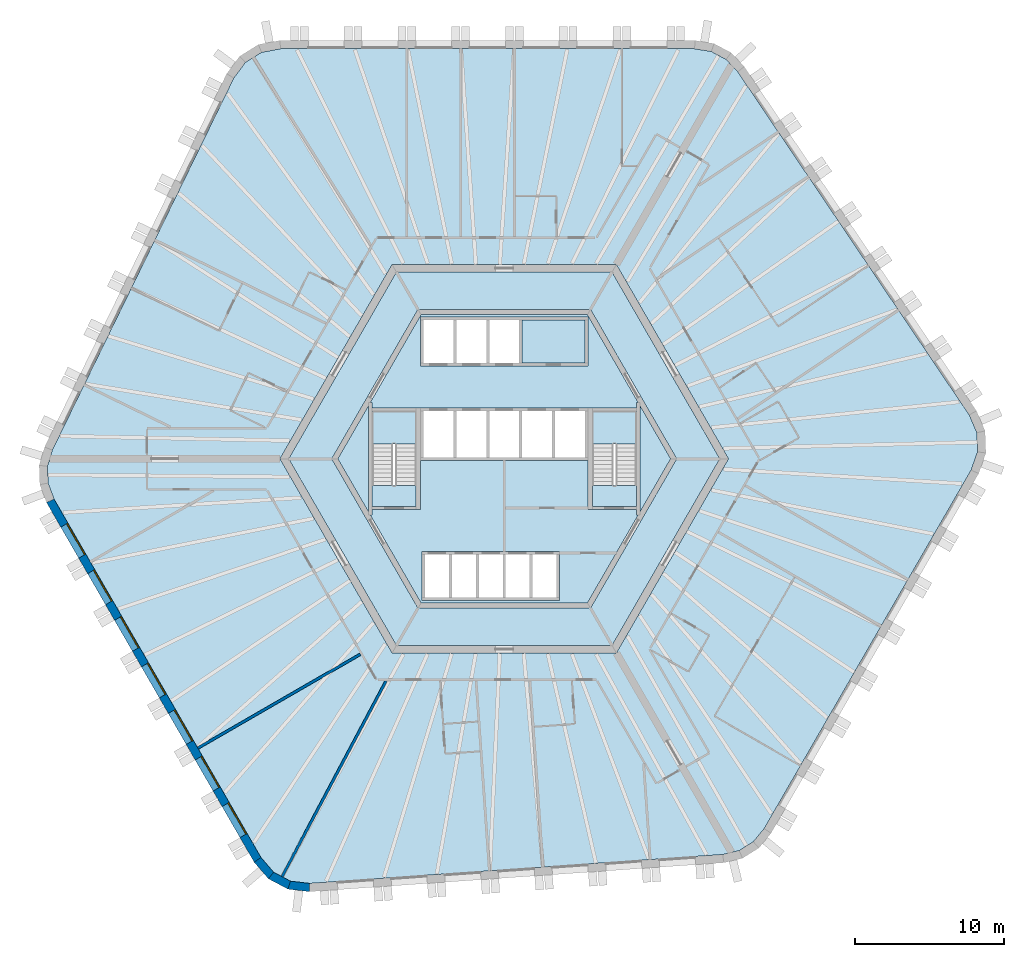
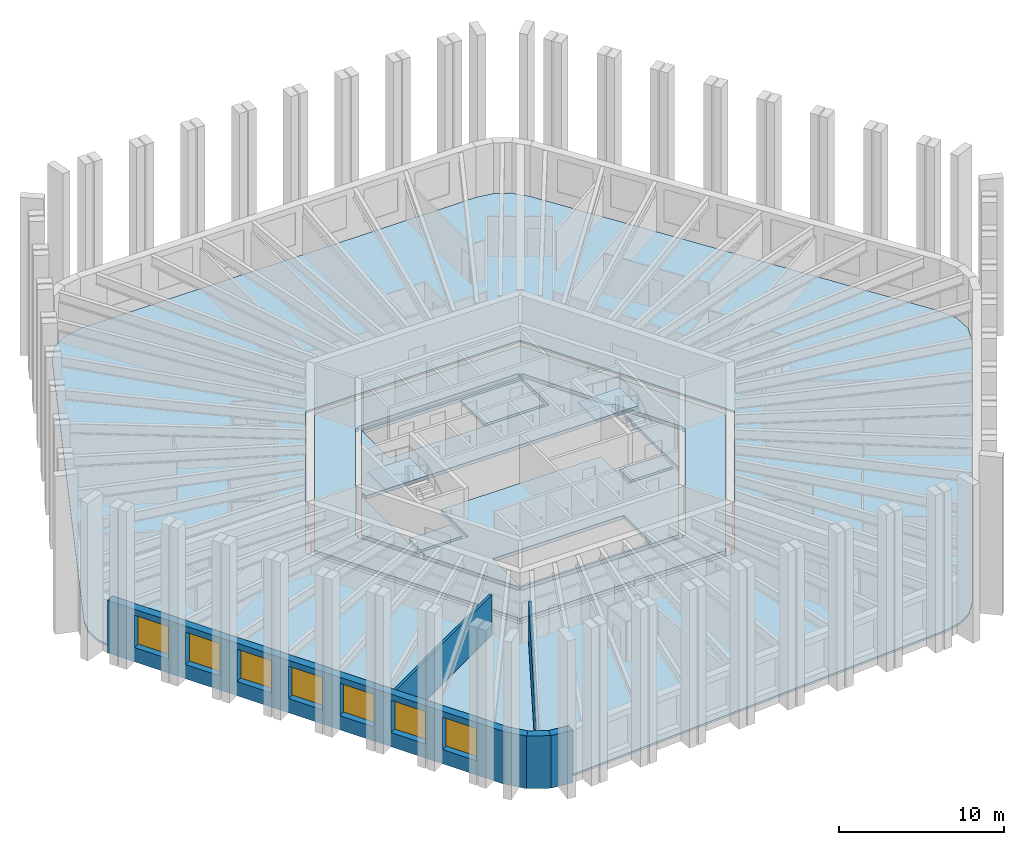
# One storey, part 2 of 9: 11 slabs, 7 windows, 6 walls, 7 openings, 2 elements without a shape of their own.
"""IFC4 building model written with IfcOpenShell, lengths in metres."""

from ifc_helpers import new_model, si_unit, direction, frame, frame_2d, origin, place, context, subcontext, project, spatial, polyline, rectangle, outline, extrude, material, layer, layer_set, type_object, element, fill, aggregate, save


model = new_model("IFC4")

# Units and contexts
model_context = context("Model", 3, precision=1e-05, world=origin(), true_north=direction((0.0, 1.0)))
body_context = subcontext(model_context, "Body", "Model", "MODEL_VIEW")
ifc_project = project(units=[si_unit("LENGTHUNIT", "METRE"), si_unit("AREAUNIT", "SQUARE_METRE"), si_unit("VOLUMEUNIT", "CUBIC_METRE"), si_unit("PLANEANGLEUNIT", "RADIAN"), si_unit("MASSUNIT", "GRAM", prefix="KILO")], contexts=[model_context])

# Site, building, storey
site_placement = place(None, origin())
site = spatial("IfcSite", under=ifc_project, at=site_placement, CompositionType="ELEMENT")
building_placement = place(site_placement, origin())
building = spatial("IfcBuilding", under=site, at=building_placement, Name="Tarnside Tower", CompositionType="ELEMENT")
storey_placement = place(building_placement, frame((0.0, 0.0, 215.10009765625)))
storey = spatial("IfcBuildingStorey", under=building, at=storey_placement, Name="L51", CompositionType="ELEMENT", Elevation=215.10009765625)

# Slabs
ifc_material_1 = material(Name="Concrete C35/45", Category="concrete")
ifc_layer_1 = layer(ifc_material_1, 0.14990234375)
ifc_layer_set_1 = layer_set([ifc_layer_1], Name="Composite floor slab 150")
slab_type_1 = type_object("IfcSlabType", Name="Composite floor slab 150", PredefinedType="FLOOR", material=ifc_layer_set_1)
slab_1_placement = place(storey_placement, frame((0.0, 0.0, -0.150146484375)))
element("IfcSlab", 1, at=slab_1_placement, inside=storey, type_object=slab_type_1, Name="Floor slab L51", PredefinedType="FLOOR", context=body_context, shape_type="SweptSolid", body=[
    extrude(outline(polyline([(13.864013671875, 27.264892578125), (14.85107421875, 26.740234375), (15.6337890625, 25.91064453125), (31.12890625, 2.938232421875), (31.644287109375, 1.7431640625), (31.68896484375, 0.468505859375), (31.258056640625, -0.759521484375), (17.403076171875, -24.7568359375), (16.68017578125, -25.63916015625), (15.732177734375, -26.2314453125), (14.622314453125, -26.494384765625), (-13.02001953125, -28.427490234375), (-14.3125, -28.2763671875), (-15.438720703125, -27.677490234375), (-16.286865234375, -26.6904296875), (-30.1416015625, -2.693115234375), (-30.544189453125, -1.6259765625), (-30.583251953125, -0.5087890625), (-30.256103515625, 0.583984375), (-18.10888671875, 25.4892578125), (-17.331787109375, 26.533203125), (-16.250244140625, 27.208984375), (-14.97119140625, 27.449951171875), (12.738525390625, 27.449951171875), (13.864013671875, 27.264892578125)]), holes=[polyline([(-15.010986328125, 0.0), (-7.505615234375, -13.0), (7.505615234375, -13.0), (15.010986328125, 0.0), (7.505615234375, 13.0), (-7.505615234375, 13.0), (-15.010986328125, 0.0)])]), origin(), (0.0, 0.0, 1.0), 0.150146484375),
])
ifc_material_2 = material(Name="Concrete C40/50", Category="concrete")
ifc_layer_2 = layer(ifc_material_2, 0.25)
ifc_layer_set_2 = layer_set([ifc_layer_2], Name="Core slab C40/50")
slab_type_2 = type_object("IfcSlabType", Name="Core slab C40/50", PredefinedType="FLOOR", material=ifc_layer_set_2)
slab_2_placement = place(storey_placement, frame((0.0, 0.0, -0.25)))
element("IfcSlab", 2, at=slab_2_placement, inside=storey, type_object=slab_type_2, Name="L51 core floor slab 1", PredefinedType="FLOOR", context=body_context, shape_type="SweptSolid", body=[
    extrude(outline(polyline([(-7.216796875, 12.5), (7.216796875, 12.5), (14.433837890625, 0.0), (7.216796875, -12.5), (-7.216796875, -12.5), (-14.433837890625, 0.0), (-7.216796875, 12.5)]), holes=[polyline([(5.823974609375, -9.91259765625), (11.49658203125, -0.08740234375), (11.344970703125, 0.0), (11.49658203125, 0.08740234375), (5.823974609375, 9.91259765625), (5.672607421875, 9.824951171875), (5.672607421875, 10.0), (-5.672607421875, 10.0), (-5.672607421875, 9.824951171875), (-5.823974609375, 9.91259765625), (-11.49658203125, 0.08740234375), (-11.344970703125, 0.0), (-11.49658203125, -0.08740234375), (-5.823974609375, -9.91259765625), (-5.672607421875, -9.824951171875), (-5.672607421875, -10.0), (5.672607421875, -10.0), (5.672607421875, -9.824951171875), (5.823974609375, -9.91259765625)])]), origin(), (0.0, 0.0, 1.0), 0.25),
])
slab_3_placement = place(storey_placement, frame((0.0, 0.0, -0.25)))
element("IfcSlab", 3, at=slab_3_placement, inside=storey, type_object=slab_type_2, Name="L51 core floor slab 2", PredefinedType="FLOOR", context=body_context, shape_type="SweptSolid", body=[
    extrude(outline(polyline([(-8.97509765625, 3.7548828125), (-5.5712890625, 9.64990234375), (5.5712890625, 9.64990234375), (8.97509765625, 3.7548828125), (8.85009765625, 3.7548828125), (8.85009765625, 3.39990234375), (5.89990234375, 3.39990234375), (5.60009765625, 3.39990234375), (5.60009765625, 3.39990234375), (-5.60009765625, 3.39990234375), (-5.89990234375, 3.39990234375), (-8.85009765625, 3.39990234375), (-8.85009765625, 3.7548828125), (-8.97509765625, 3.7548828125)]), holes=[polyline([(-5.60009765625, 6.199951171875), (5.60009765625, 6.199951171875), (5.60009765625, 6.39990234375), (5.60009765625, 9.300048828125), (5.60009765625, 9.5), (-5.60009765625, 9.5), (-5.60009765625, 9.300048828125), (-5.60009765625, 6.39990234375), (-5.60009765625, 6.199951171875)])]), origin(), (0.0, 0.0, 1.0), 0.25),
])
slab_4_placement = place(storey_placement, frame((0.0, 0.0, -0.25)))
element("IfcSlab", 4, at=slab_4_placement, inside=storey, type_object=slab_type_2, Name="L51 core floor slab 3", PredefinedType="FLOOR", context=body_context, shape_type="SweptSolid", body=[
    extrude(outline(polyline([(5.60009765625, -3.39990234375), (5.89990234375, -3.39990234375), (8.85009765625, -3.39990234375), (8.85009765625, -3.7548828125), (8.97509765625, -3.7548828125), (5.5712890625, -9.64990234375), (-5.5712890625, -9.64990234375), (-8.97509765625, -3.7548828125), (-8.85009765625, -3.7548828125), (-8.85009765625, -3.39990234375), (-5.89990234375, -3.39990234375), (-5.60009765625, -3.39990234375), (-5.60009765625, -0.10009765625), (5.60009765625, -0.10009765625), (5.60009765625, -3.39990234375)]), holes=[polyline([(-5.5, -9.300048828125), (-5.5, -9.5), (3.699951171875, -9.5), (3.699951171875, -9.300048828125), (3.699951171875, -6.39990234375), (3.699951171875, -6.199951171875), (-5.5, -6.199951171875), (-5.5, -6.39990234375), (-5.5, -9.300048828125)])]), origin(), (0.0, 0.0, 1.0), 0.25),
])
slab_5_placement = place(storey_placement, frame((0.0, 0.0, -0.25)))
element("IfcSlab", 5, at=slab_5_placement, inside=storey, type_object=slab_type_2, Name="L51 core floor slab 4", PredefinedType="FLOOR", context=body_context, shape_type="SweptSolid", body=[
    extrude(outline(polyline([(-11.142822265625, 0.0), (-9.10009765625, 3.538330078125), (-9.10009765625, -3.538330078125), (-11.142822265625, 0.0)])), origin(), (0.0, 0.0, 1.0), 0.25),
])
slab_6_placement = place(storey_placement, frame((0.0, 0.0, -0.25)))
element("IfcSlab", 6, at=slab_6_placement, inside=storey, type_object=slab_type_2, Name="L51 core floor slab 5", PredefinedType="FLOOR", context=body_context, shape_type="SweptSolid", body=[
    extrude(outline(polyline([(-8.85009765625, -1.800048828125), (-5.89990234375, -1.800048828125), (-5.89990234375, -3.199951171875), (-8.85009765625, -3.199951171875), (-8.85009765625, -1.800048828125)])), origin(), (0.0, 0.0, 1.0), 0.25),
])
slab_7_placement = place(storey_placement, frame((0.0, 0.0, -0.25)))
element("IfcSlab", 7, at=slab_7_placement, inside=storey, type_object=slab_type_2, Name="L51 core floor slab 6", PredefinedType="FLOOR", context=body_context, shape_type="SweptSolid", body=[
    extrude(outline(polyline([(5.89990234375, -3.199951171875), (5.89990234375, -1.800048828125), (8.85009765625, -1.800048828125), (8.85009765625, -3.199951171875), (5.89990234375, -3.199951171875)])), origin(), (0.0, 0.0, 1.0), 0.25),
])
slab_8_placement = place(storey_placement, frame((0.0, 0.0, -0.25)))
element("IfcSlab", 8, at=slab_8_placement, inside=storey, type_object=slab_type_2, Name="L51 core floor slab 7", PredefinedType="FLOOR", context=body_context, shape_type="SweptSolid", body=[
    extrude(outline(polyline([(9.10009765625, -3.538330078125), (9.10009765625, 3.538330078125), (11.142822265625, 0.0), (9.10009765625, -3.538330078125)])), origin(), (0.0, 0.0, 1.0), 0.25),
])
slab_9_placement = place(storey_placement, frame((0.0, 0.0, -0.25)))
element("IfcSlab", 9, at=slab_9_placement, inside=storey, type_object=slab_type_2, Name="L51 core floor slab 8", PredefinedType="FLOOR", context=body_context, shape_type="SweptSolid", body=[
    extrude(outline(polyline([(5.39990234375, 9.300048828125), (5.39990234375, 6.39990234375), (1.199951171875, 6.39990234375), (1.199951171875, 9.300048828125), (5.39990234375, 9.300048828125)])), origin(), (0.0, 0.0, 1.0), 0.25),
])

# Stair, slab
stair_type = type_object("IfcStairType", Name="Exit stair 1400 clear", PredefinedType="HALF_TURN_STAIR", material=ifc_material_2)
stair_1_placement = place(storey_placement, origin())
stair_1 = element("IfcStair", 10, at=stair_1_placement, inside=storey, type_object=stair_type, Name="L51 Exit stair 1", PredefinedType="HALF_TURN_STAIR")
ifc_layer_3 = layer(ifc_material_2, 0.199951171875)
ifc_layer_set_3 = layer_set([ifc_layer_3], Name="Stair landing 200 C40/50")
slab_type_3 = type_object("IfcSlabType", Name="Stair landing 200 C40/50", PredefinedType="LANDING", material=ifc_layer_set_3)
slab_10_placement = place(storey_placement, frame((0.0, 0.0, 1.75)))
slab_10 = element("IfcSlab", 11, at=slab_10_placement, type_object=slab_type_3, Name="ST1 landing 1", PredefinedType="LANDING", context=body_context, shape_type="SweptSolid", body=[
    extrude(outline(polyline([(8.85009765625, 1.0), (8.85009765625, 3.199951171875), (5.89990234375, 3.199951171875), (5.89990234375, 1.0), (8.85009765625, 1.0)])), origin(), (0.0, 0.0, 1.0), 0.199951171875),
])
aggregate(stair_1, [slab_10])

stair_2_placement = place(storey_placement, origin())
stair_2 = element("IfcStair", 12, at=stair_2_placement, inside=storey, type_object=stair_type, Name="L51 Exit stair 2", PredefinedType="HALF_TURN_STAIR")
slab_11_placement = place(storey_placement, frame((0.0, 0.0, 1.75)))
slab_11 = element("IfcSlab", 13, at=slab_11_placement, type_object=slab_type_3, Name="ST2 landing 1", PredefinedType="LANDING", context=body_context, shape_type="SweptSolid", body=[
    extrude(outline(polyline([(-5.89990234375, 1.0), (-5.89990234375, 3.199951171875), (-8.85009765625, 3.199951171875), (-8.85009765625, 1.0), (-5.89990234375, 1.0)])), origin(), (0.0, 0.0, 1.0), 0.199951171875),
])
aggregate(stair_2, [slab_11])

# Walls
ifc_material_3 = material(Name="Gypsum board partition on steel studs", Category="steel")
ifc_layer_4 = layer(ifc_material_3, 0.179931640625)
ifc_layer_set_4 = layer_set([ifc_layer_4], Name="Demising wall 180 EI 60")
wall_type_1 = type_object("IfcWallType", Name="Demising wall 180 EI 60", PredefinedType="PARTITIONING", material=ifc_layer_set_4)
wall_1_placement = place(storey_placement, frame((-20.513427734375, -19.36962890625, 0.0), z_axis=(0.0, 0.0, 1.0), x_axis=(0.866019402111, 0.500010395058, 0.0)))
element("IfcWall", 14, at=wall_1_placement, inside=storey, type_object=wall_type_1, Name="Demising wall 17067", PredefinedType="PARTITIONING", context=body_context, shape_type="SweptSolid", body=[
    extrude(rectangle(XDim=12.574951171875, YDim=0.179931640625, at=frame_2d((6.28759765625, 0.0))), origin(), (0.0, 0.0, 1.0), 2.98779296875),
])
wall_2_placement = place(storey_placement, frame((-14.875732421875, -27.97705078125, 0.0), z_axis=(0.0, 0.0, 1.0), x_axis=(0.469475175214, 0.882945672088, 0.0)))
element("IfcWall", 15, at=wall_2_placement, inside=storey, type_object=wall_type_1, Name="Demising wall 17068", PredefinedType="PARTITIONING", context=body_context, shape_type="SweptSolid", body=[
    extrude(rectangle(XDim=14.839111328125, YDim=0.179931640625, at=frame_2d((7.41943359375, 0.0))), origin(), (0.0, 0.0, 1.0), 2.98779296875),
])

# Wall, openings, windows
ifc_material_4 = material(Name="Facing brick", Category="masonry")
ifc_layer_5 = layer(ifc_material_4, 0.10205078125)
ifc_material_5 = material(Name="Concrete C60/75 precast", Category="concrete")
ifc_layer_6 = layer(ifc_material_5, 0.347900390625)
ifc_material_6 = material(Name="Mineral wool insulation")
ifc_layer_7 = layer(ifc_material_6, 0.10009765625)
ifc_layer_set_5 = layer_set([ifc_layer_5, ifc_layer_6, ifc_layer_7], Name="Tube wall 550 brick faced")
wall_type_2 = type_object("IfcWallType", Name="Tube wall 550 brick faced", PredefinedType="SOLIDWALL", material=ifc_layer_set_5)
wall_3_placement = place(storey_placement, frame((-30.39111328125, -2.81103515625, -0.150146484375), z_axis=(0.0, 0.0, 1.0), x_axis=(0.499998569178, -0.866026229868, 0.0)))
wall_3 = element("IfcWall", 16, at=wall_3_placement, inside=storey, type_object=wall_type_2, Name="Tube wall L51 F3 flush 08", PredefinedType="SOLIDWALL", context=body_context, shape_type="SweptSolid", body=[
    extrude(outline(polyline([(-0.0224609375, -0.27490234375), (27.783447265625, -0.27490234375), (27.732177734375, 0.27490234375), (0.0224609375, 0.27490234375), (-0.0224609375, -0.27490234375)])), origin(), (0.0, 0.0, 1.0), 3.900146484375),
])
opening_1_placement = place(wall_3_placement, frame((1.87890625, 0.0, 1.050048828125)))
opening_1 = element("IfcOpeningElement", 17, at=opening_1_placement, cuts=wall_3, Name="Opening WH", PredefinedType="OPENING", context=body_context, shape_type="SweptSolid", body=[
    extrude(rectangle(XDim=2.39990234375, YDim=2.39990234375, at=frame_2d((1.199951171875, 1.199951171875))), frame((0.0, 0.28515625, 0.0), z_axis=(0.0, -1.0, 0.0), x_axis=(1.0, 0.0, 0.0)), (0.0, 0.0, 1.0), 0.570068359375),
])
opening_2_placement = place(wall_3_placement, frame((5.47900390625, 0.0, 1.050048828125)))
opening_2 = element("IfcOpeningElement", 18, at=opening_2_placement, cuts=wall_3, Name="Opening WH", PredefinedType="OPENING", context=body_context, shape_type="SweptSolid", body=[
    extrude(rectangle(XDim=2.39990234375, YDim=2.39990234375, at=frame_2d((1.199951171875, 1.199951171875))), frame((0.0, 0.28515625, 0.0), z_axis=(0.0, -1.0, 0.0), x_axis=(1.0, 0.0, 0.0)), (0.0, 0.0, 1.0), 0.570068359375),
])
opening_3_placement = place(wall_3_placement, frame((9.078857421875, 0.0, 1.050048828125)))
opening_3 = element("IfcOpeningElement", 19, at=opening_3_placement, cuts=wall_3, Name="Opening WH", PredefinedType="OPENING", context=body_context, shape_type="SweptSolid", body=[
    extrude(rectangle(XDim=2.39990234375, YDim=2.39990234375, at=frame_2d((1.199951171875, 1.199951171875))), frame((0.0, 0.28515625, 0.0), z_axis=(0.0, -1.0, 0.0), x_axis=(1.0, 0.0, 0.0)), (0.0, 0.0, 1.0), 0.570068359375),
])
opening_4_placement = place(wall_3_placement, frame((12.678955078125, 0.0, 1.050048828125)))
opening_4 = element("IfcOpeningElement", 20, at=opening_4_placement, cuts=wall_3, Name="Opening WH", PredefinedType="OPENING", context=body_context, shape_type="SweptSolid", body=[
    extrude(rectangle(XDim=2.39990234375, YDim=2.39990234375, at=frame_2d((1.199951171875, 1.199951171875))), frame((0.0, 0.28515625, 0.0), z_axis=(0.0, -1.0, 0.0), x_axis=(1.0, 0.0, 0.0)), (0.0, 0.0, 1.0), 0.570068359375),
])
opening_5_placement = place(wall_3_placement, frame((16.27880859375, 0.0, 1.050048828125)))
opening_5 = element("IfcOpeningElement", 21, at=opening_5_placement, cuts=wall_3, Name="Opening WH", PredefinedType="OPENING", context=body_context, shape_type="SweptSolid", body=[
    extrude(rectangle(XDim=2.39990234375, YDim=2.39990234375, at=frame_2d((1.199951171875, 1.199951171875))), frame((0.0, 0.28515625, 0.0), z_axis=(0.0, -1.0, 0.0), x_axis=(1.0, 0.0, 0.0)), (0.0, 0.0, 1.0), 0.570068359375),
])
opening_6_placement = place(wall_3_placement, frame((19.87890625, 0.0, 1.050048828125)))
opening_6 = element("IfcOpeningElement", 22, at=opening_6_placement, cuts=wall_3, Name="Opening WH", PredefinedType="OPENING", context=body_context, shape_type="SweptSolid", body=[
    extrude(rectangle(XDim=2.39990234375, YDim=2.39990234375, at=frame_2d((1.199951171875, 1.199951171875))), frame((0.0, 0.28515625, 0.0), z_axis=(0.0, -1.0, 0.0), x_axis=(1.0, 0.0, 0.0)), (0.0, 0.0, 1.0), 0.570068359375),
])
opening_7_placement = place(wall_3_placement, frame((23.47900390625, 0.0, 1.050048828125)))
opening_7 = element("IfcOpeningElement", 23, at=opening_7_placement, cuts=wall_3, Name="Opening WH", PredefinedType="OPENING", context=body_context, shape_type="SweptSolid", body=[
    extrude(rectangle(XDim=2.39990234375, YDim=2.39990234375, at=frame_2d((1.199951171875, 1.199951171875))), frame((0.0, 0.28515625, 0.0), z_axis=(0.0, -1.0, 0.0), x_axis=(1.0, 0.0, 0.0)), (0.0, 0.0, 1.0), 0.570068359375),
])
ifc_material_7 = material(Name="Aluminium-framed double glazing", Category="aluminium")
window_type = type_object("IfcWindowType", Name="Hotel window 2400 x 2400", PartitioningType="DOUBLE_PANEL_VERTICAL", PredefinedType="WINDOW", material=ifc_material_7)
window_1_placement = place(opening_1_placement, frame((0.0, 0.205078125, 0.0)))
window_1 = element("IfcWindow", 24, at=window_1_placement, inside=storey, type_object=window_type, Name="E.WN.L51.F3.00", OverallHeight=2.39990234375, OverallWidth=2.39990234375, PartitioningType="DOUBLE_PANEL_VERTICAL", PredefinedType="WINDOW", context=body_context, shape_type="SweptSolid", body=[
    extrude(rectangle(XDim=2.39990234375, YDim=2.39990234375, at=frame_2d((1.199951171875, 1.199951171875))), frame((0.0, 0.030029296875, 0.0), z_axis=(0.0, -1.0, 0.0), x_axis=(1.0, 0.0, 0.0)), (0.0, 0.0, 1.0), 0.06005859375),
])
fill(opening_1, window_1)
window_2_placement = place(opening_2_placement, frame((0.0, 0.205078125, 0.0)))
window_2 = element("IfcWindow", 25, at=window_2_placement, inside=storey, type_object=window_type, Name="E.WN.L51.F3.01", OverallHeight=2.39990234375, OverallWidth=2.39990234375, PartitioningType="DOUBLE_PANEL_VERTICAL", PredefinedType="WINDOW", context=body_context, shape_type="SweptSolid", body=[
    extrude(rectangle(XDim=2.39990234375, YDim=2.39990234375, at=frame_2d((1.199951171875, 1.199951171875))), frame((0.0, 0.030029296875, 0.0), z_axis=(0.0, -1.0, 0.0), x_axis=(1.0, 0.0, 0.0)), (0.0, 0.0, 1.0), 0.06005859375),
])
fill(opening_2, window_2)
window_3_placement = place(opening_3_placement, frame((0.0, 0.205078125, 0.0)))
window_3 = element("IfcWindow", 26, at=window_3_placement, inside=storey, type_object=window_type, Name="E.WN.L51.F3.02", OverallHeight=2.39990234375, OverallWidth=2.39990234375, PartitioningType="DOUBLE_PANEL_VERTICAL", PredefinedType="WINDOW", context=body_context, shape_type="SweptSolid", body=[
    extrude(rectangle(XDim=2.39990234375, YDim=2.39990234375, at=frame_2d((1.199951171875, 1.199951171875))), frame((0.0, 0.030029296875, 0.0), z_axis=(0.0, -1.0, 0.0), x_axis=(1.0, 0.0, 0.0)), (0.0, 0.0, 1.0), 0.06005859375),
])
fill(opening_3, window_3)
window_4_placement = place(opening_4_placement, frame((0.0, 0.205078125, 0.0)))
window_4 = element("IfcWindow", 27, at=window_4_placement, inside=storey, type_object=window_type, Name="E.WN.L51.F3.03", OverallHeight=2.39990234375, OverallWidth=2.39990234375, PartitioningType="DOUBLE_PANEL_VERTICAL", PredefinedType="WINDOW", context=body_context, shape_type="SweptSolid", body=[
    extrude(rectangle(XDim=2.39990234375, YDim=2.39990234375, at=frame_2d((1.199951171875, 1.199951171875))), frame((0.0, 0.030029296875, 0.0), z_axis=(0.0, -1.0, 0.0), x_axis=(1.0, 0.0, 0.0)), (0.0, 0.0, 1.0), 0.06005859375),
])
fill(opening_4, window_4)
window_5_placement = place(opening_5_placement, frame((0.0, 0.205078125, 0.0)))
window_5 = element("IfcWindow", 28, at=window_5_placement, inside=storey, type_object=window_type, Name="E.WN.L51.F3.04", OverallHeight=2.39990234375, OverallWidth=2.39990234375, PartitioningType="DOUBLE_PANEL_VERTICAL", PredefinedType="WINDOW", context=body_context, shape_type="SweptSolid", body=[
    extrude(rectangle(XDim=2.39990234375, YDim=2.39990234375, at=frame_2d((1.199951171875, 1.199951171875))), frame((0.0, 0.030029296875, 0.0), z_axis=(0.0, -1.0, 0.0), x_axis=(1.0, 0.0, 0.0)), (0.0, 0.0, 1.0), 0.06005859375),
])
fill(opening_5, window_5)
window_6_placement = place(opening_6_placement, frame((0.0, 0.205078125, 0.0)))
window_6 = element("IfcWindow", 29, at=window_6_placement, inside=storey, type_object=window_type, Name="E.WN.L51.F3.05", OverallHeight=2.39990234375, OverallWidth=2.39990234375, PartitioningType="DOUBLE_PANEL_VERTICAL", PredefinedType="WINDOW", context=body_context, shape_type="SweptSolid", body=[
    extrude(rectangle(XDim=2.39990234375, YDim=2.39990234375, at=frame_2d((1.199951171875, 1.199951171875))), frame((0.0, 0.030029296875, 0.0), z_axis=(0.0, -1.0, 0.0), x_axis=(1.0, 0.0, 0.0)), (0.0, 0.0, 1.0), 0.06005859375),
])
fill(opening_6, window_6)
window_7_placement = place(opening_7_placement, frame((0.0, 0.205078125, 0.0)))
window_7 = element("IfcWindow", 30, at=window_7_placement, inside=storey, type_object=window_type, Name="E.WN.L51.F3.06", OverallHeight=2.39990234375, OverallWidth=2.39990234375, PartitioningType="DOUBLE_PANEL_VERTICAL", PredefinedType="WINDOW", context=body_context, shape_type="SweptSolid", body=[
    extrude(rectangle(XDim=2.39990234375, YDim=2.39990234375, at=frame_2d((1.199951171875, 1.199951171875))), frame((0.0, 0.030029296875, 0.0), z_axis=(0.0, -1.0, 0.0), x_axis=(1.0, 0.0, 0.0)), (0.0, 0.0, 1.0), 0.06005859375),
])
fill(opening_7, window_7)

# Walls
wall_4_placement = place(storey_placement, frame((-16.51220703125, -26.85009765625, -0.150146484375), z_axis=(0.0, 0.0, 1.0), x_axis=(0.651621950847, -0.758543890078, 0.0)))
element("IfcWall", 31, at=wall_4_placement, inside=storey, type_object=wall_type_2, Name="Tube wall L51 F3 chord 09", PredefinedType="SOLIDWALL", context=body_context, shape_type="SweptSolid", body=[
    extrude(outline(polyline([(-0.025634765625, -0.27490234375), (1.430908203125, -0.27490234375), (1.327392578125, 0.27490234375), (0.025634765625, 0.27490234375), (-0.025634765625, -0.27490234375)])), origin(), (0.0, 0.0, 1.0), 3.900146484375),
])
wall_5_placement = place(storey_placement, frame((-15.613525390625, -27.896240234375, -0.150146484375), z_axis=(0.0, 0.0, 1.0), x_axis=(0.882994189209, -0.469383917304, 0.0)))
element("IfcWall", 32, at=wall_5_placement, inside=storey, type_object=wall_type_2, Name="Tube wall L51 F3 chord 10", PredefinedType="SOLIDWALL", context=body_context, shape_type="SweptSolid", body=[
    extrude(outline(polyline([(-0.0517578125, -0.27490234375), (1.4306640625, -0.27490234375), (1.3271484375, 0.27490234375), (0.0517578125, 0.27490234375), (-0.0517578125, -0.27490234375)])), origin(), (0.0, 0.0, 1.0), 3.900146484375),
])
wall_6_placement = place(storey_placement, frame((-14.39599609375, -28.54345703125, -0.150146484375), z_axis=(0.0, 0.0, 1.0), x_axis=(0.993232537394, -0.11614269956, 0.0)))
element("IfcWall", 33, at=wall_6_placement, inside=storey, type_object=wall_type_2, Name="Tube wall L51 F3 chord 11", PredefinedType="SOLIDWALL", context=body_context, shape_type="SweptSolid", body=[
    extrude(outline(polyline([(-0.0517578125, -0.27490234375), (1.404541015625, -0.27490234375), (1.353271484375, 0.27490234375), (0.0517578125, 0.27490234375), (-0.0517578125, -0.27490234375)])), origin(), (0.0, 0.0, 1.0), 3.900146484375),
])

save(model, "model.ifc")
